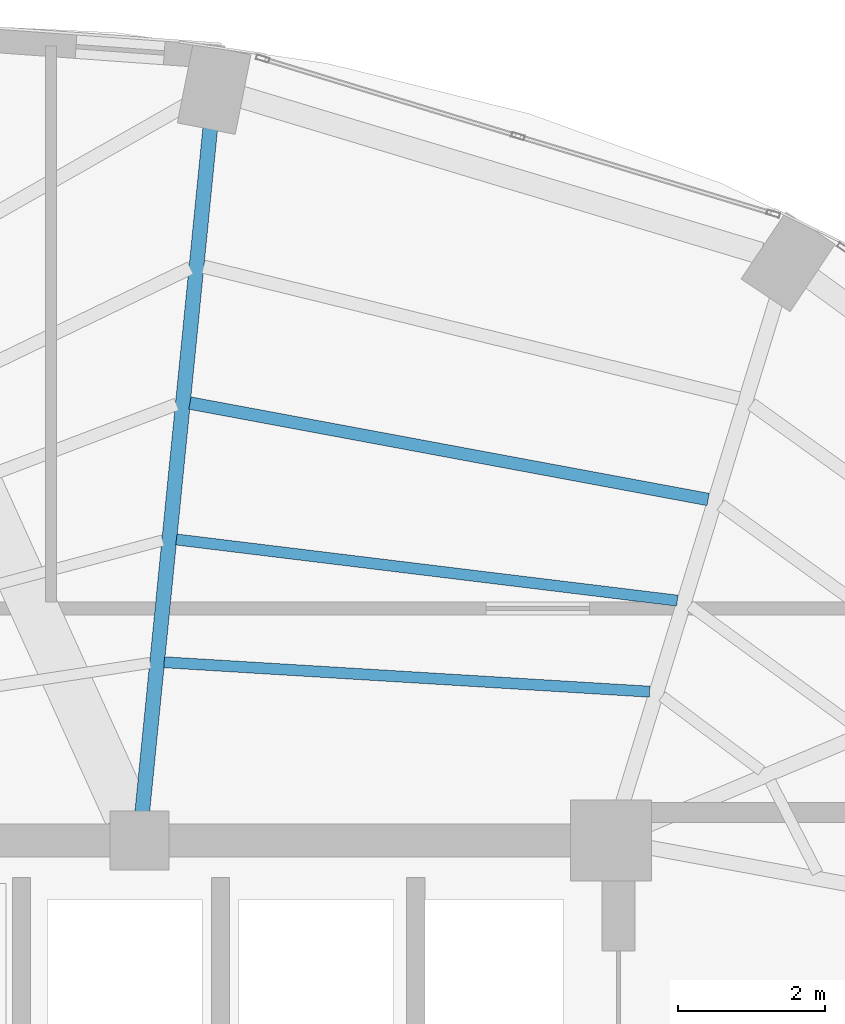
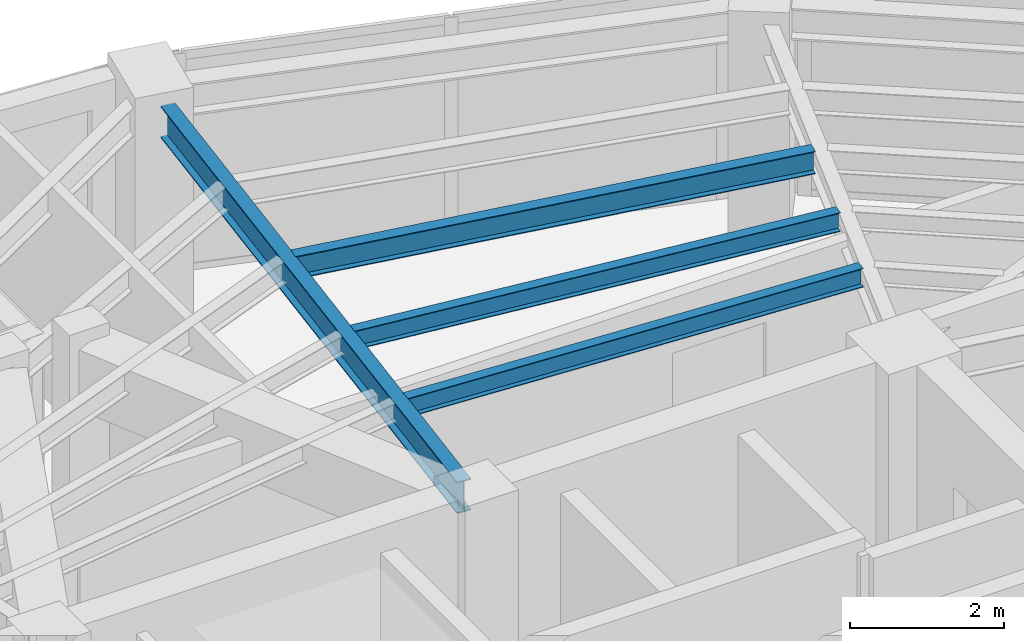
# One storey, part 12 of 23: 4 beams.
"""IFC4 building model written with IfcOpenShell, lengths in metres."""

import ifcopenshell
import ifcopenshell.guid

model = None  # the IFC model being written
_history = None  # IfcOwnerHistory: only IFC2X3 demands one
_inside = {}  # id of a spatial element -> (the spatial element, [elements in it])
_under = {}  # id of a project, library or spatial element -> (it, [spatial elements below it])
_declared = {}  # id of a project -> (the project, [libraries it declares])
_typed = {}  # id of a type object -> (the type object, [elements of that type])
_made_of = {}  # id of a material, layer set ... -> (it, [elements and type objects made of it])


def new_model(schema):
    """Start an empty IFC model of exactly this schema.

    Asked for "IFC4X3", IfcOpenShell would pick the latest addendum, in which some entities
    have other attributes; the version numbers below select the first issue.
    IFC2X3 requires an IfcOwnerHistory on every rooted entity: one is made here for all.
    """
    global model, _history
    if schema == "IFC4X3":
        model = ifcopenshell.file(schema_version=(4, 3, 0, 0))
    else:
        model = ifcopenshell.file(schema=schema)
    _inside.clear()
    _under.clear()
    _declared.clear()
    _typed.clear()
    _made_of.clear()
    _history = None
    if model.schema == "IFC2X3":
        org = make("IfcOrganization", Name="unknown")
        user = make(
            "IfcPersonAndOrganization",
            ThePerson=make("IfcPerson", FamilyName="unknown"),
            TheOrganization=org,
        )
        app = make(
            "IfcApplication",
            ApplicationDeveloper=org,
            Version="unknown",
            ApplicationFullName="unknown",
            ApplicationIdentifier="unknown",
        )
        _history = make(
            "IfcOwnerHistory",
            OwningUser=user,
            OwningApplication=app,
            ChangeAction="ADDED",
            CreationDate=0,
        )
    return model


def make(cls, **values):
    """One entity of the class cls with the attributes given. An attribute that is None is left unset."""
    return model.create_entity(
        cls, **{name: value for name, value in values.items() if value is not None}
    )


def rooted(cls, **values):
    """An entity with a GlobalId (a new one), such as an element, a storey or a relation."""
    return make(cls, GlobalId=ifcopenshell.guid.new(), OwnerHistory=_history, **values)


def si_unit(unit_type, name, prefix=None):
    """IfcSIUnit, for example si_unit("LENGTHUNIT", "METRE", prefix="MILLI")."""
    return make("IfcSIUnit", UnitType=unit_type, Prefix=prefix, Name=name)


def assignment(units):
    """IfcUnitAssignment: the units of a project."""
    return None if units is None else make("IfcUnitAssignment", Units=units)


def point(xyz):
    """IfcCartesianPoint."""
    return None if xyz is None else make("IfcCartesianPoint", Coordinates=xyz)


def direction(xyz):
    """IfcDirection."""
    return None if xyz is None else make("IfcDirection", DirectionRatios=xyz)


def frame(location, z_axis=None, x_axis=None):
    """IfcAxis2Placement3D, a coordinate frame: its origin and axes. An axis left out is left unset."""
    return make(
        "IfcAxis2Placement3D",
        Location=point(location),
        Axis=direction(z_axis),
        RefDirection=direction(x_axis),
    )


def frame_2d(location, x_axis=None):
    """IfcAxis2Placement2D, a coordinate frame in the plane: its origin and x axis."""
    return make(
        "IfcAxis2Placement2D", Location=point(location), RefDirection=direction(x_axis)
    )


def origin():
    """The frame at (0, 0, 0) with its axes left unset."""
    return frame((0.0, 0.0, 0.0))


def origin_2d():
    """The frame at (0, 0) in the plane with its x axis left unset."""
    return frame_2d((0.0, 0.0))


def place(relative_to, where):
    """IfcLocalPlacement: puts the frame where relative to a parent placement (None: the world)."""
    return make(
        "IfcLocalPlacement", PlacementRelTo=relative_to, RelativePlacement=where
    )


def context(
    kind, dimensions, precision=None, world=None, true_north=None, identifier=None
):
    """IfcGeometricRepresentationContext, for example the 3D "Model" context."""
    return make(
        "IfcGeometricRepresentationContext",
        ContextIdentifier=identifier,
        ContextType=kind,
        CoordinateSpaceDimension=dimensions,
        Precision=precision,
        WorldCoordinateSystem=world,
        TrueNorth=true_north,
    )


def subcontext(parent, identifier, kind, view, scale=None):
    """IfcGeometricRepresentationSubContext, for example "Body" below "Model"."""
    return make(
        "IfcGeometricRepresentationSubContext",
        ContextIdentifier=identifier,
        ContextType=kind,
        ParentContext=parent,
        TargetScale=scale,
        TargetView=view,
    )


def project(units=None, contexts=None):
    """IfcProject with its units and contexts."""
    return rooted(
        "IfcProject",
        Name="project",
        RepresentationContexts=contexts,
        UnitsInContext=assignment(units),
    )


def spatial(cls, under=None, at=None, **own):
    """A site, building, storey or space (cls), placed at a placement, below another one or the project."""
    s = rooted(cls, ObjectPlacement=at, **own)
    if under is not None:
        _under.setdefault(under.id(), (under, []))[1].append(s)
    return s


def profile(cls, at=None, kind="AREA", **sizes):
    """A parametric profile (cls). Its sizes go by their IFC names, for example OverallWidth=200.0."""
    return make(cls, ProfileType=kind, Position=at, **sizes)


def i_section(**sizes):
    """IfcIShapeProfileDef."""
    return profile("IfcIShapeProfileDef", **sizes)


def extrude(swept, where, along, depth):
    """IfcExtrudedAreaSolid: the profile swept, set in the frame where, extruded along a direction by depth."""
    return make(
        "IfcExtrudedAreaSolid",
        SweptArea=swept,
        Position=where,
        ExtrudedDirection=direction(along),
        Depth=depth,
    )


def shape(context_of_items, identifier, shape_type, items):
    """IfcShapeRepresentation: the items that make up one representation, for example the "Body"."""
    return make(
        "IfcShapeRepresentation",
        ContextOfItems=context_of_items,
        RepresentationIdentifier=identifier,
        RepresentationType=shape_type,
        Items=items,
    )


def material(Name=None, Category=None):
    """IfcMaterial."""
    return make("IfcMaterial", Name=Name, Category=Category)


def material_profile(
    of_material, cross_section, Name=None, Category=None, Priority=None
):
    """IfcMaterialProfile: a cross section and its material."""
    return make(
        "IfcMaterialProfile",
        Name=Name,
        Material=of_material,
        Profile=cross_section,
        Priority=Priority,
        Category=Category,
    )


def profile_set(profiles, Name=None, composite=None):
    """IfcMaterialProfileSet."""
    return make(
        "IfcMaterialProfileSet",
        Name=Name,
        MaterialProfiles=profiles,
        CompositeProfile=composite,
    )


def made_of(thing, what):
    """Note that an element or type object is made of a material, layer set ...; save() writes the relation."""
    if what is not None:
        _made_of.setdefault(what.id(), (what, []))[1].append(thing)
    return thing


def type_object(cls, material=None, **own):
    """A type object (cls), such as IfcWallType, which elements share."""
    return made_of(rooted(cls, **own), material)


def element(
    cls,
    number,
    at=None,
    inside=None,
    cuts=None,
    type_object=None,
    material=None,
    context=None,
    identifier="Body",
    shape_type=None,
    held_by="IfcProductDefinitionShape",
    body=None,
    shapes=None,
    **own,
):
    """One element of the class cls, such as IfcWall. Its Tag is "e" and its number.

    at: its placement. inside: the storey or other place that contains it. cuts: it is an
    opening in that element (IfcRelVoidsElement). A single representation is given by context,
    identifier, shape_type and body (its items); several are given by shapes. held_by: the class
    of the entity that holds the representations. save() writes the other relations.
    """
    e = rooted(cls, Tag="e%d" % number, ObjectPlacement=at, **own)
    if body is not None:
        shapes = [shape(context, identifier, shape_type, body)]
    if shapes is not None:
        e.Representation = make(held_by, Representations=shapes)
    if inside is not None:
        _inside.setdefault(inside.id(), (inside, []))[1].append(e)
    if cuts is not None:
        rooted(
            "IfcRelVoidsElement", RelatingBuildingElement=cuts, RelatedOpeningElement=e
        )
    if type_object is not None:
        _typed.setdefault(type_object.id(), (type_object, []))[1].append(e)
    return made_of(e, material)


def aggregate(whole, parts):
    """IfcRelAggregates: a whole, such as a stair, and the parts it consists of."""
    return rooted("IfcRelAggregates", RelatingObject=whole, RelatedObjects=parts)


def save(model, path):
    """Write the relations noted so far, then the file.

    IfcRelAggregates (storeys below a building ...), IfcRelContainedInSpatialStructure (elements
    in a storey), IfcRelDefinesByType, IfcRelAssociatesMaterial and IfcRelDeclares: one each for
    every whole, place, type object, material and project.
    """
    for whole, parts in _under.values():
        aggregate(whole, parts)
    for where, things in _inside.values():
        rooted(
            "IfcRelContainedInSpatialStructure",
            RelatedElements=things,
            RelatingStructure=where,
        )
    for kind, things in _typed.values():
        rooted("IfcRelDefinesByType", RelatedObjects=things, RelatingType=kind)
    for what, things in _made_of.values():
        rooted("IfcRelAssociatesMaterial", RelatedObjects=things, RelatingMaterial=what)
    for by, libraries in _declared.values():
        rooted("IfcRelDeclares", RelatingContext=by, RelatedDefinitions=libraries)
    model.write(path)


model = new_model("IFC4")

# Units and contexts
model_context = context("Model", 3, precision=1e-05, world=origin(), true_north=direction((0.0, 1.0)))
body_context = subcontext(model_context, "Body", "Model", "MODEL_VIEW")
ifc_project = project(units=[si_unit("LENGTHUNIT", "METRE"), si_unit("AREAUNIT", "SQUARE_METRE"), si_unit("VOLUMEUNIT", "CUBIC_METRE"), si_unit("PLANEANGLEUNIT", "RADIAN"), si_unit("MASSUNIT", "GRAM", prefix="KILO")], contexts=[model_context])

# Site, building, storey
site_placement = place(None, origin())
site = spatial("IfcSite", under=ifc_project, at=site_placement, CompositionType="ELEMENT")
building_placement = place(site_placement, origin())
building = spatial("IfcBuilding", under=site, at=building_placement, Name="Lazwardi Medical Tower", CompositionType="ELEMENT")
storey_placement = place(building_placement, frame((0.0, 0.0, 234.9599609375)))
storey = spatial("IfcBuildingStorey", under=building, at=storey_placement, Name="L61", CompositionType="ELEMENT", Elevation=234.9599609375)

# Beams
ifc_material = material(Name="Steel S355", Category="steel")
ifc_material_profile_1 = material_profile(ifc_material, i_section(OverallWidth=0.199951171875, OverallDepth=0.5, WebThickness=0.01025390625, FlangeThickness=0.01611328125, at=origin_2d()), Name="IPE 500")
ifc_profile_set_1 = profile_set([ifc_material_profile_1], Name="Steel S355")
beam_type_1 = type_object("IfcBeamType", Name="BM-RG-W3", PredefinedType="BEAM", material=ifc_profile_set_1)
beam_1_placement = place(storey_placement, frame((40.1611328125, 45.265869140625, 3.197998046875), z_axis=(-0.098954361922, -0.995091972763, 0.0), x_axis=(0.995091972763, -0.098954361922, 0.0)))
element("IfcBeam", 1, at=beam_1_placement, inside=storey, type_object=beam_type_1, Name="Radial girder RG-04 R08 L61", PredefinedType="BEAM", context=body_context, shape_type="SweptSolid", body=[
    extrude(i_section(OverallWidth=0.199951171875, OverallDepth=0.5, WebThickness=0.01025390625, FlangeThickness=0.01611328125, at=origin_2d()), origin(), (0.0, 0.0, 1.0), 9.32861328125),
])
ifc_material_profile_2 = material_profile(ifc_material, i_section(OverallWidth=0.169921875, OverallDepth=0.360107421875, WebThickness=0.008056640625, FlangeThickness=0.0126953125, at=origin_2d()), Name="IPE 360")
ifc_profile_set_2 = profile_set([ifc_material_profile_2], Name="Steel S355")
beam_type_2 = type_object("IfcBeamType", Name="BM-SJ-02", PredefinedType="JOIST", material=ifc_profile_set_2)
beam_2_placement = place(storey_placement, frame((46.91552734375, 40.2275390625, 3.26806640625), z_axis=(-0.983132476587, 0.182894870019, 0.0), x_axis=(-0.182894870019, -0.983132476587, 0.0)))
element("IfcBeam", 2, at=beam_2_placement, inside=storey, type_object=beam_type_2, Name="Secondary joist SJ-02 R2 B07 L61", PredefinedType="JOIST", context=body_context, shape_type="SweptSolid", body=[
    extrude(i_section(OverallWidth=0.169921875, OverallDepth=0.360107421875, WebThickness=0.008056640625, FlangeThickness=0.0126953125, at=origin_2d()), origin(), (0.0, 0.0, 1.0), 7.15087890625),
])
ifc_material_profile_3 = material_profile(ifc_material, i_section(OverallWidth=0.14990234375, OverallDepth=0.300048828125, WebThickness=0.007080078125, FlangeThickness=0.0107421875, at=origin_2d()), Name="IPE 300")
ifc_profile_set_3 = profile_set([ifc_material_profile_3], Name="Steel S355")
beam_type_3 = type_object("IfcBeamType", Name="BM-SJ-03", PredefinedType="JOIST", material=ifc_profile_set_3)
beam_3_placement = place(storey_placement, frame((46.4970703125, 38.85546875, 3.298095703125), z_axis=(-0.992634689535, 0.121146081783, 0.0), x_axis=(-0.121146081783, -0.992634689535, 0.0)))
element("IfcBeam", 3, at=beam_3_placement, inside=storey, type_object=beam_type_3, Name="Secondary joist SJ-03 R3 B07 L61", PredefinedType="JOIST", context=body_context, shape_type="SweptSolid", body=[
    extrude(i_section(OverallWidth=0.14990234375, OverallDepth=0.300048828125, WebThickness=0.007080078125, FlangeThickness=0.0107421875, at=origin_2d()), origin(), (0.0, 0.0, 1.0), 6.845947265625),
])
beam_4_placement = place(storey_placement, frame((46.120849609375, 37.6201171875, 3.298095703125), z_axis=(-0.998165515862, 0.060544223044, 0.0), x_axis=(-0.060544223044, -0.998165515862, 0.0)))
element("IfcBeam", 4, at=beam_4_placement, inside=storey, type_object=beam_type_3, Name="Secondary joist SJ-03 R4 B07 L61", PredefinedType="JOIST", context=body_context, shape_type="SweptSolid", body=[
    extrude(i_section(OverallWidth=0.14990234375, OverallDepth=0.300048828125, WebThickness=0.007080078125, FlangeThickness=0.0107421875, at=origin_2d()), origin(), (0.0, 0.0, 1.0), 6.59716796875),
])

save(model, "model.ifc")
